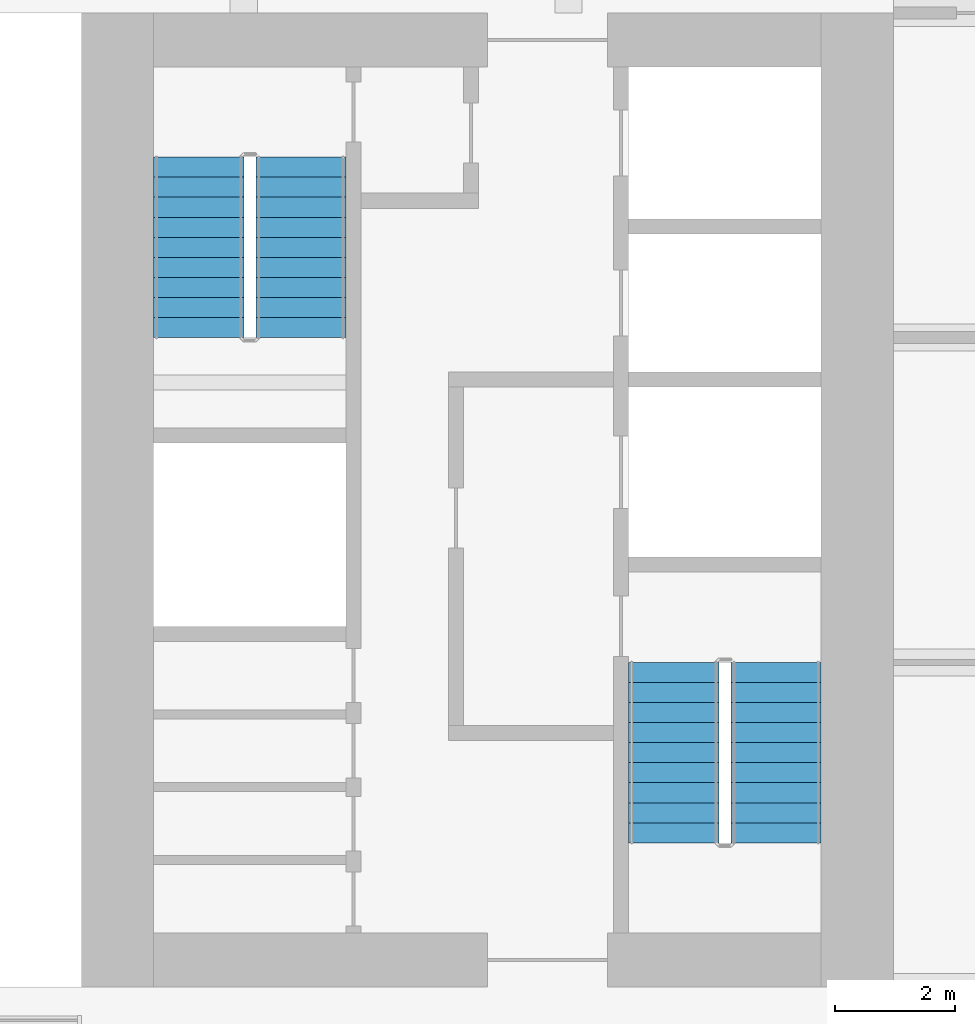
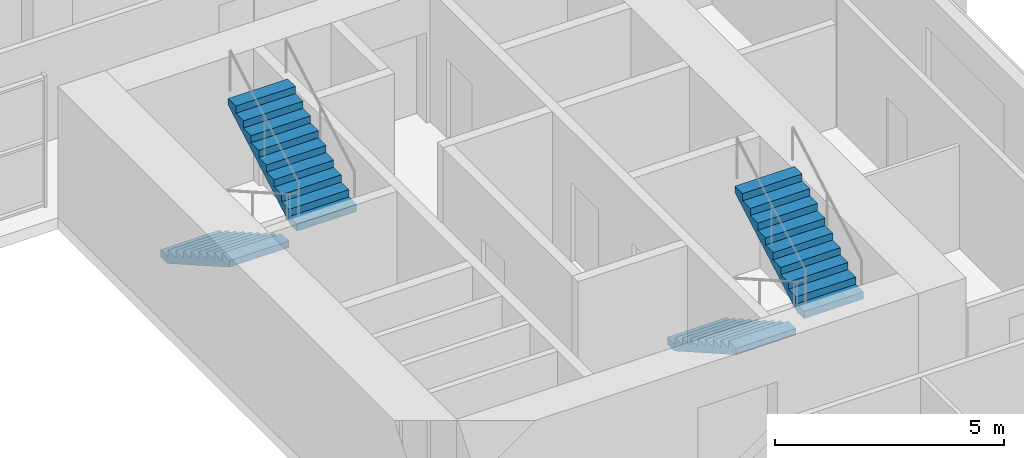
# One storey, part 8 of 11: 4 stair flights, 2 elements without a shape of their own.
"""IFC4 building model written with IfcOpenShell, lengths in metres."""

from ifc_helpers import new_model, si_unit, direction, frame, origin, place, context, subcontext, project, spatial, polyline, outline, extrude, material, type_object, element, aggregate, save


model = new_model("IFC4")

# Units and contexts
model_context = context("Model", 3, precision=1e-05, world=origin(), true_north=direction((0.0, 1.0)))
body_context = subcontext(model_context, "Body", "Model", "MODEL_VIEW")
ifc_project = project(units=[si_unit("LENGTHUNIT", "METRE"), si_unit("AREAUNIT", "SQUARE_METRE"), si_unit("VOLUMEUNIT", "CUBIC_METRE"), si_unit("PLANEANGLEUNIT", "RADIAN"), si_unit("MASSUNIT", "GRAM", prefix="KILO")], contexts=[model_context])

# Site, building, storey
site_placement = place(None, origin())
site = spatial("IfcSite", under=ifc_project, at=site_placement, CompositionType="ELEMENT")
building_placement = place(site_placement, origin())
building = spatial("IfcBuilding", under=site, at=building_placement, Name="Tabaq Tower and Sports Hall", CompositionType="ELEMENT")
storey_placement = place(building_placement, frame((0.0, 0.0, 80.199951171875)))
storey = spatial("IfcBuildingStorey", under=building, at=storey_placement, Name="L18", CompositionType="ELEMENT", Elevation=80.199951171875)

# Stair, stair flights
ifc_material_1 = material(Name="Concrete C40/50", Category="concrete")
stair_type = type_object("IfcStairType", Name="Exit stair", PredefinedType="HALF_TURN_STAIR", material=ifc_material_1)
stair_1_placement = place(storey_placement, origin())
stair_1 = element("IfcStair", 1, at=stair_1_placement, inside=storey, type_object=stair_type, Name="L18 Exit stair ST3", PredefinedType="HALF_TURN_STAIR")
ifc_material_2 = material(Name="Concrete C40/50", Category="concrete")
stair_flight_type = type_object("IfcStairFlightType", Name="Exit stair flight", PredefinedType="STRAIGHT", material=ifc_material_2)
stair_flight_1_placement = place(storey_placement, frame((39.550048828125, 21.60009765625, 0.0), z_axis=(0.0, 0.0, 1.0), x_axis=(0.0, -1.0, 0.0)))
stair_flight_1 = element("IfcStairFlight", 2, at=stair_flight_1_placement, type_object=stair_flight_type, Name="ST3 flight 1", NumberOfRisers=10, NumberOfTreads=9, PredefinedType="STRAIGHT", RiserHeight=0.19, TreadLength=0.333333333, context=body_context, shape_type="SweptSolid", body=[
    extrude(outline(polyline([(0.0, 0.0), (0.0, 0.18994140625), (0.333251953125, 0.18994140625), (0.333251953125, 0.3798828125), (0.666748046875, 0.3798828125), (0.666748046875, 0.570068359375), (1.0, 0.570068359375), (1.0, 0.760009765625), (1.333251953125, 0.760009765625), (1.333251953125, 0.949951171875), (1.666748046875, 0.949951171875), (1.666748046875, 1.139892578125), (2.0, 1.139892578125), (2.0, 1.330078125), (2.333251953125, 1.330078125), (2.333251953125, 1.52001953125), (2.666748046875, 1.52001953125), (2.666748046875, 1.7099609375), (3.0, 1.7099609375), (3.0, 1.89990234375), (3.0, 1.537353515625), (0.302734375, 0.0), (0.0, 0.0)])), frame((0.0, 0.75, 0.0), z_axis=(0.0, -1.0, 0.0), x_axis=(1.0, 0.0, 0.0)), (0.0, 0.0, 1.0), 1.5),
])
stair_flight_2_placement = place(storey_placement, frame((41.25, 18.60009765625, 1.900146484375), z_axis=(0.0, 0.0, 1.0), x_axis=(0.0, 1.0, 0.0)))
stair_flight_2 = element("IfcStairFlight", 3, at=stair_flight_2_placement, type_object=stair_flight_type, Name="ST3 flight 2", NumberOfRisers=10, NumberOfTreads=9, PredefinedType="STRAIGHT", RiserHeight=0.19, TreadLength=0.333333333, context=body_context, shape_type="SweptSolid", body=[
    extrude(outline(polyline([(0.0, 0.0), (0.0, 0.18994140625), (0.333251953125, 0.18994140625), (0.333251953125, 0.3798828125), (0.666748046875, 0.3798828125), (0.666748046875, 0.570068359375), (1.0, 0.570068359375), (1.0, 0.760009765625), (1.333251953125, 0.760009765625), (1.333251953125, 0.949951171875), (1.666748046875, 0.949951171875), (1.666748046875, 1.139892578125), (2.0, 1.139892578125), (2.0, 1.330078125), (2.333251953125, 1.330078125), (2.333251953125, 1.52001953125), (2.666748046875, 1.52001953125), (2.666748046875, 1.7099609375), (3.0, 1.7099609375), (3.0, 1.89990234375), (3.0, 1.537353515625), (0.302734375, 0.0), (0.0, 0.0)])), frame((0.0, 0.75, 0.0), z_axis=(0.0, -1.0, 0.0), x_axis=(1.0, 0.0, 0.0)), (0.0, 0.0, 1.0), 1.5),
])
aggregate(stair_1, [stair_flight_1, stair_flight_2])

stair_2_placement = place(storey_placement, origin())
stair_2 = element("IfcStair", 4, at=stair_2_placement, inside=storey, type_object=stair_type, Name="L18 Exit stair ST4", PredefinedType="HALF_TURN_STAIR")
stair_flight_3_placement = place(storey_placement, frame((31.64990234375, 30.0, 0.0), z_axis=(0.0, 0.0, 1.0), x_axis=(0.0, -1.0, 0.0)))
stair_flight_3 = element("IfcStairFlight", 5, at=stair_flight_3_placement, type_object=stair_flight_type, Name="ST4 flight 1", NumberOfRisers=10, NumberOfTreads=9, PredefinedType="STRAIGHT", RiserHeight=0.19, TreadLength=0.333333333, context=body_context, shape_type="SweptSolid", body=[
    extrude(outline(polyline([(0.0, 0.0), (0.0, 0.18994140625), (0.333251953125, 0.18994140625), (0.333251953125, 0.3798828125), (0.666748046875, 0.3798828125), (0.666748046875, 0.570068359375), (1.0, 0.570068359375), (1.0, 0.760009765625), (1.333251953125, 0.760009765625), (1.333251953125, 0.949951171875), (1.666748046875, 0.949951171875), (1.666748046875, 1.139892578125), (2.0, 1.139892578125), (2.0, 1.330078125), (2.333251953125, 1.330078125), (2.333251953125, 1.52001953125), (2.666748046875, 1.52001953125), (2.666748046875, 1.7099609375), (3.0, 1.7099609375), (3.0, 1.89990234375), (3.0, 1.537353515625), (0.302734375, 0.0), (0.0, 0.0)])), frame((0.0, 0.75, 0.0), z_axis=(0.0, -1.0, 0.0), x_axis=(1.0, 0.0, 0.0)), (0.0, 0.0, 1.0), 1.5),
])
stair_flight_4_placement = place(storey_placement, frame((33.35009765625, 27.0, 1.900146484375), z_axis=(0.0, 0.0, 1.0), x_axis=(0.0, 1.0, 0.0)))
stair_flight_4 = element("IfcStairFlight", 6, at=stair_flight_4_placement, type_object=stair_flight_type, Name="ST4 flight 2", NumberOfRisers=10, NumberOfTreads=9, PredefinedType="STRAIGHT", RiserHeight=0.19, TreadLength=0.333333333, context=body_context, shape_type="SweptSolid", body=[
    extrude(outline(polyline([(0.0, 0.0), (0.0, 0.18994140625), (0.333251953125, 0.18994140625), (0.333251953125, 0.3798828125), (0.666748046875, 0.3798828125), (0.666748046875, 0.570068359375), (1.0, 0.570068359375), (1.0, 0.760009765625), (1.333251953125, 0.760009765625), (1.333251953125, 0.949951171875), (1.666748046875, 0.949951171875), (1.666748046875, 1.139892578125), (2.0, 1.139892578125), (2.0, 1.330078125), (2.333251953125, 1.330078125), (2.333251953125, 1.52001953125), (2.666748046875, 1.52001953125), (2.666748046875, 1.7099609375), (3.0, 1.7099609375), (3.0, 1.89990234375), (3.0, 1.537353515625), (0.302734375, 0.0), (0.0, 0.0)])), frame((0.0, 0.75, 0.0), z_axis=(0.0, -1.0, 0.0), x_axis=(1.0, 0.0, 0.0)), (0.0, 0.0, 1.0), 1.5),
])
aggregate(stair_2, [stair_flight_3, stair_flight_4])

save(model, "model.ifc")
